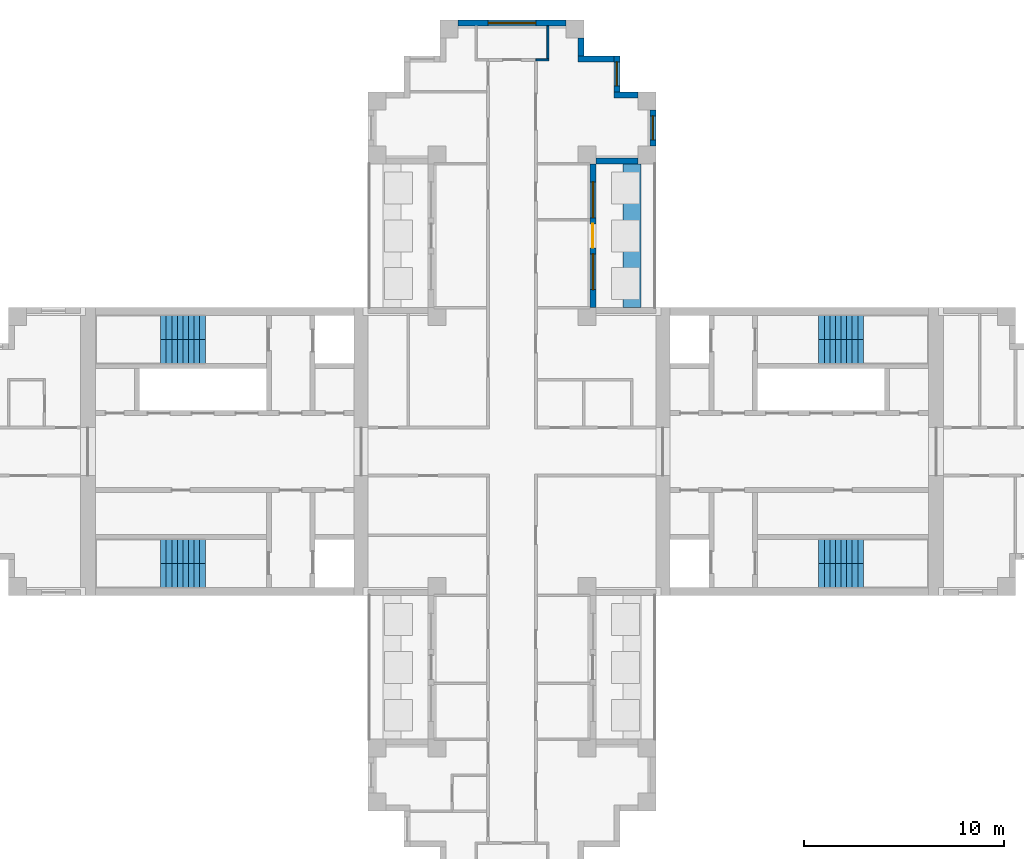
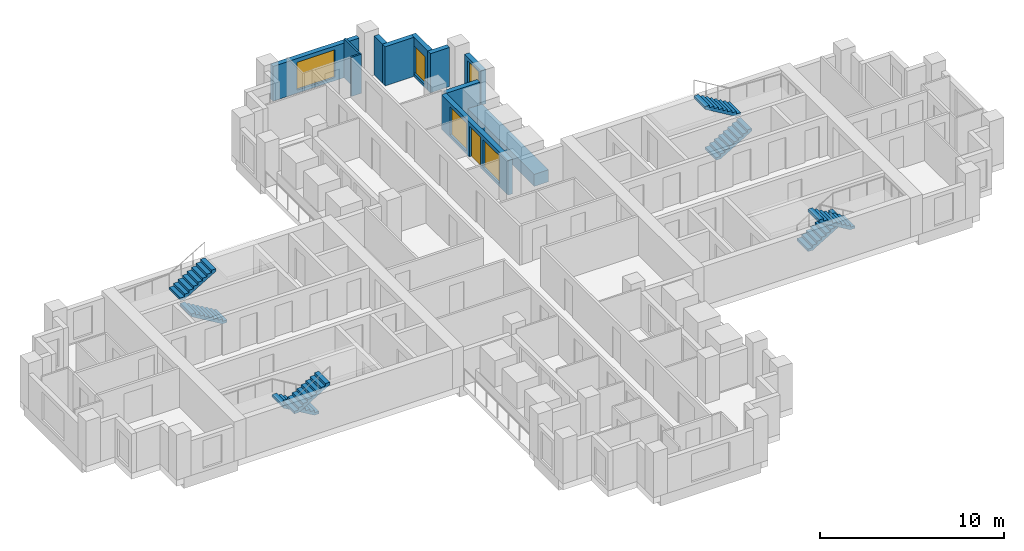
# One storey, part 7 of 9: 11 walls, 8 stair flights, 5 windows, 1 door, 6 openings, 4 elements without a shape of their own.
"""IFC4 building model written with IfcOpenShell, lengths in metres."""

import ifcopenshell
import ifcopenshell.guid

model = None  # the IFC model being written
_history = None  # IfcOwnerHistory: only IFC2X3 demands one
_inside = {}  # id of a spatial element -> (the spatial element, [elements in it])
_under = {}  # id of a project, library or spatial element -> (it, [spatial elements below it])
_declared = {}  # id of a project -> (the project, [libraries it declares])
_typed = {}  # id of a type object -> (the type object, [elements of that type])
_made_of = {}  # id of a material, layer set ... -> (it, [elements and type objects made of it])


def new_model(schema):
    """Start an empty IFC model of exactly this schema.

    Asked for "IFC4X3", IfcOpenShell would pick the latest addendum, in which some entities
    have other attributes; the version numbers below select the first issue.
    IFC2X3 requires an IfcOwnerHistory on every rooted entity: one is made here for all.
    """
    global model, _history
    if schema == "IFC4X3":
        model = ifcopenshell.file(schema_version=(4, 3, 0, 0))
    else:
        model = ifcopenshell.file(schema=schema)
    _inside.clear()
    _under.clear()
    _declared.clear()
    _typed.clear()
    _made_of.clear()
    _history = None
    if model.schema == "IFC2X3":
        org = make("IfcOrganization", Name="unknown")
        user = make(
            "IfcPersonAndOrganization",
            ThePerson=make("IfcPerson", FamilyName="unknown"),
            TheOrganization=org,
        )
        app = make(
            "IfcApplication",
            ApplicationDeveloper=org,
            Version="unknown",
            ApplicationFullName="unknown",
            ApplicationIdentifier="unknown",
        )
        _history = make(
            "IfcOwnerHistory",
            OwningUser=user,
            OwningApplication=app,
            ChangeAction="ADDED",
            CreationDate=0,
        )
    return model


def make(cls, **values):
    """One entity of the class cls with the attributes given. An attribute that is None is left unset."""
    return model.create_entity(
        cls, **{name: value for name, value in values.items() if value is not None}
    )


def rooted(cls, **values):
    """An entity with a GlobalId (a new one), such as an element, a storey or a relation."""
    return make(cls, GlobalId=ifcopenshell.guid.new(), OwnerHistory=_history, **values)


def si_unit(unit_type, name, prefix=None):
    """IfcSIUnit, for example si_unit("LENGTHUNIT", "METRE", prefix="MILLI")."""
    return make("IfcSIUnit", UnitType=unit_type, Prefix=prefix, Name=name)


def assignment(units):
    """IfcUnitAssignment: the units of a project."""
    return None if units is None else make("IfcUnitAssignment", Units=units)


def point(xyz):
    """IfcCartesianPoint."""
    return None if xyz is None else make("IfcCartesianPoint", Coordinates=xyz)


def direction(xyz):
    """IfcDirection."""
    return None if xyz is None else make("IfcDirection", DirectionRatios=xyz)


def frame(location, z_axis=None, x_axis=None):
    """IfcAxis2Placement3D, a coordinate frame: its origin and axes. An axis left out is left unset."""
    return make(
        "IfcAxis2Placement3D",
        Location=point(location),
        Axis=direction(z_axis),
        RefDirection=direction(x_axis),
    )


def frame_2d(location, x_axis=None):
    """IfcAxis2Placement2D, a coordinate frame in the plane: its origin and x axis."""
    return make(
        "IfcAxis2Placement2D", Location=point(location), RefDirection=direction(x_axis)
    )


def origin():
    """The frame at (0, 0, 0) with its axes left unset."""
    return frame((0.0, 0.0, 0.0))


def place(relative_to, where):
    """IfcLocalPlacement: puts the frame where relative to a parent placement (None: the world)."""
    return make(
        "IfcLocalPlacement", PlacementRelTo=relative_to, RelativePlacement=where
    )


def context(
    kind, dimensions, precision=None, world=None, true_north=None, identifier=None
):
    """IfcGeometricRepresentationContext, for example the 3D "Model" context."""
    return make(
        "IfcGeometricRepresentationContext",
        ContextIdentifier=identifier,
        ContextType=kind,
        CoordinateSpaceDimension=dimensions,
        Precision=precision,
        WorldCoordinateSystem=world,
        TrueNorth=true_north,
    )


def subcontext(parent, identifier, kind, view, scale=None):
    """IfcGeometricRepresentationSubContext, for example "Body" below "Model"."""
    return make(
        "IfcGeometricRepresentationSubContext",
        ContextIdentifier=identifier,
        ContextType=kind,
        ParentContext=parent,
        TargetScale=scale,
        TargetView=view,
    )


def project(units=None, contexts=None):
    """IfcProject with its units and contexts."""
    return rooted(
        "IfcProject",
        Name="project",
        RepresentationContexts=contexts,
        UnitsInContext=assignment(units),
    )


def spatial(cls, under=None, at=None, **own):
    """A site, building, storey or space (cls), placed at a placement, below another one or the project."""
    s = rooted(cls, ObjectPlacement=at, **own)
    if under is not None:
        _under.setdefault(under.id(), (under, []))[1].append(s)
    return s


def polyline(points):
    """IfcPolyline through the points."""
    return make("IfcPolyline", Points=[point(p) for p in points])


def profile(cls, at=None, kind="AREA", **sizes):
    """A parametric profile (cls). Its sizes go by their IFC names, for example OverallWidth=200.0."""
    return make(cls, ProfileType=kind, Position=at, **sizes)


def rectangle(**sizes):
    """IfcRectangleProfileDef."""
    return profile("IfcRectangleProfileDef", **sizes)


def outline(outer, holes=None, kind="AREA"):
    """IfcArbitraryClosedProfileDef: a profile drawn as a closed curve; with holes, ...WithVoids."""
    if holes is None:
        return make("IfcArbitraryClosedProfileDef", ProfileType=kind, OuterCurve=outer)
    return make(
        "IfcArbitraryProfileDefWithVoids",
        ProfileType=kind,
        OuterCurve=outer,
        InnerCurves=holes,
    )


def extrude(swept, where, along, depth):
    """IfcExtrudedAreaSolid: the profile swept, set in the frame where, extruded along a direction by depth."""
    return make(
        "IfcExtrudedAreaSolid",
        SweptArea=swept,
        Position=where,
        ExtrudedDirection=direction(along),
        Depth=depth,
    )


def shape(context_of_items, identifier, shape_type, items):
    """IfcShapeRepresentation: the items that make up one representation, for example the "Body"."""
    return make(
        "IfcShapeRepresentation",
        ContextOfItems=context_of_items,
        RepresentationIdentifier=identifier,
        RepresentationType=shape_type,
        Items=items,
    )


def material(Name=None, Category=None):
    """IfcMaterial."""
    return make("IfcMaterial", Name=Name, Category=Category)


def layer(
    of_material, thickness, ventilated=None, Name=None, Category=None, Priority=None
):
    """IfcMaterialLayer: one layer of a wall or slab, of a material (None: an air gap)."""
    return make(
        "IfcMaterialLayer",
        Material=of_material,
        LayerThickness=thickness,
        IsVentilated=ventilated,
        Name=Name,
        Category=Category,
        Priority=Priority,
    )


def layer_set(layers, Name=None):
    """IfcMaterialLayerSet."""
    return make("IfcMaterialLayerSet", MaterialLayers=layers, LayerSetName=Name)


def made_of(thing, what):
    """Note that an element or type object is made of a material, layer set ...; save() writes the relation."""
    if what is not None:
        _made_of.setdefault(what.id(), (what, []))[1].append(thing)
    return thing


def type_object(cls, material=None, **own):
    """A type object (cls), such as IfcWallType, which elements share."""
    return made_of(rooted(cls, **own), material)


def element(
    cls,
    number,
    at=None,
    inside=None,
    cuts=None,
    type_object=None,
    material=None,
    context=None,
    identifier="Body",
    shape_type=None,
    held_by="IfcProductDefinitionShape",
    body=None,
    shapes=None,
    **own,
):
    """One element of the class cls, such as IfcWall. Its Tag is "e" and its number.

    at: its placement. inside: the storey or other place that contains it. cuts: it is an
    opening in that element (IfcRelVoidsElement). A single representation is given by context,
    identifier, shape_type and body (its items); several are given by shapes. held_by: the class
    of the entity that holds the representations. save() writes the other relations.
    """
    e = rooted(cls, Tag="e%d" % number, ObjectPlacement=at, **own)
    if body is not None:
        shapes = [shape(context, identifier, shape_type, body)]
    if shapes is not None:
        e.Representation = make(held_by, Representations=shapes)
    if inside is not None:
        _inside.setdefault(inside.id(), (inside, []))[1].append(e)
    if cuts is not None:
        rooted(
            "IfcRelVoidsElement", RelatingBuildingElement=cuts, RelatedOpeningElement=e
        )
    if type_object is not None:
        _typed.setdefault(type_object.id(), (type_object, []))[1].append(e)
    return made_of(e, material)


def fill(opening, filler):
    """IfcRelFillsElement: the door or window that sits in an opening."""
    return rooted(
        "IfcRelFillsElement",
        RelatingOpeningElement=opening,
        RelatedBuildingElement=filler,
    )


def aggregate(whole, parts):
    """IfcRelAggregates: a whole, such as a stair, and the parts it consists of."""
    return rooted("IfcRelAggregates", RelatingObject=whole, RelatedObjects=parts)


def save(model, path):
    """Write the relations noted so far, then the file.

    IfcRelAggregates (storeys below a building ...), IfcRelContainedInSpatialStructure (elements
    in a storey), IfcRelDefinesByType, IfcRelAssociatesMaterial and IfcRelDeclares: one each for
    every whole, place, type object, material and project.
    """
    for whole, parts in _under.values():
        aggregate(whole, parts)
    for where, things in _inside.values():
        rooted(
            "IfcRelContainedInSpatialStructure",
            RelatedElements=things,
            RelatingStructure=where,
        )
    for kind, things in _typed.values():
        rooted("IfcRelDefinesByType", RelatedObjects=things, RelatingType=kind)
    for what, things in _made_of.values():
        rooted("IfcRelAssociatesMaterial", RelatedObjects=things, RelatingMaterial=what)
    for by, libraries in _declared.values():
        rooted("IfcRelDeclares", RelatingContext=by, RelatedDefinitions=libraries)
    model.write(path)


model = new_model("IFC4")

# Units and contexts
model_context = context("Model", 3, precision=1e-05, world=origin(), true_north=direction((0.0, 1.0)))
body_context = subcontext(model_context, "Body", "Model", "MODEL_VIEW")
ifc_project = project(units=[si_unit("LENGTHUNIT", "METRE"), si_unit("AREAUNIT", "SQUARE_METRE"), si_unit("VOLUMEUNIT", "CUBIC_METRE"), si_unit("PLANEANGLEUNIT", "RADIAN"), si_unit("MASSUNIT", "GRAM", prefix="KILO")], contexts=[model_context])

# Site, building, storey
site_placement = place(None, origin())
site = spatial("IfcSite", under=ifc_project, at=site_placement, CompositionType="ELEMENT")
building_placement = place(site_placement, origin())
building = spatial("IfcBuilding", under=site, at=building_placement, Name="Fustian Cross Tower", CompositionType="ELEMENT")
storey_placement = place(building_placement, frame((0.0, 0.0, 219.89990234375)))
storey = spatial("IfcBuildingStorey", under=building, at=storey_placement, Name="L69", CompositionType="ELEMENT", Elevation=219.89990234375)

# Walls
ifc_material_1 = material(Name="Plasterboard on steel stud", Category="steel")
ifc_layer_1 = layer(ifc_material_1, 0.10009765625)
ifc_layer_set_1 = layer_set([ifc_layer_1], Name="Plasterboard on steel stud")
wall_type_1 = type_object("IfcWallType", Name="PARTITION 100 STUD", PredefinedType="PARTITIONING", material=ifc_layer_set_1)
wall_1_placement = place(storey_placement, frame((1.199951171875, 19.60009765625, 0.0), z_axis=(0.0, 0.0, 1.0), x_axis=(1.0, 0.0, 0.0)))
element("IfcWall", 1, at=wall_1_placement, inside=storey, type_object=wall_type_1, Name="Partition 45", PredefinedType="PARTITIONING", context=body_context, shape_type="SweptSolid", body=[
    extrude(rectangle(XDim=0.650146484375, YDim=0.10009765625, at=frame_2d((0.3251953125, 0.0))), origin(), (0.0, 0.0, 1.0), 2.60009765625),
])
wall_2_placement = place(storey_placement, frame((1.800048828125, 19.64990234375, 0.0), z_axis=(0.0, 0.0, 1.0), x_axis=(0.0, 1.0, 0.0)))
element("IfcWall", 2, at=wall_2_placement, inside=storey, type_object=wall_type_1, Name="Partition 47", PredefinedType="PARTITIONING", context=body_context, shape_type="SweptSolid", body=[
    extrude(rectangle(XDim=1.650146484375, YDim=0.10009765625, at=frame_2d((0.8251953125, 0.0))), origin(), (0.0, 0.0, 1.0), 2.60009765625),
])
ifc_material_2 = material(Name="Concrete C40/50", Category="concrete")
ifc_layer_2 = layer(ifc_material_2, 0.89990234375)
ifc_layer_set_2 = layer_set([ifc_layer_2], Name="Concrete C40/50")
wall_type_2 = type_object("IfcWallType", Name="PK1 PLANTER 900", PredefinedType="PARAPET", material=ifc_layer_set_2)
wall_3_placement = place(storey_placement, frame((6.0, 7.199951171875, 0.0), z_axis=(0.0, 0.0, 1.0), x_axis=(0.0, 1.0, 0.0)))
element("IfcWall", 3, at=wall_3_placement, inside=storey, type_object=wall_type_2, Name="PLANTER", PredefinedType="PARAPET", context=body_context, shape_type="SweptSolid", body=[
    extrude(rectangle(XDim=7.199951171875, YDim=0.89990234375, at=frame_2d((3.60009765625, 0.0))), origin(), (0.0, 0.0, 1.0), 0.800048828125),
])

# Wall, openings, door, windows
ifc_material_3 = material(Name="Dark aluminium cladding on insulated backing wall", Category="aluminium")
ifc_layer_3 = layer(ifc_material_3, 0.300048828125)
ifc_layer_set_3 = layer_set([ifc_layer_3], Name="Dark aluminium cladding on insulated backing wall")
wall_type_3 = type_object("IfcWallType", Name="XW1 EXTERNAL WALL 300", PredefinedType="SOLIDWALL", material=ifc_layer_set_3)
wall_4_placement = place(storey_placement, frame((4.050048828125, 7.199951171875, 0.0), z_axis=(0.0, 0.0, 1.0), x_axis=(0.0, 1.0, 0.0)))
wall_4 = element("IfcWall", 4, at=wall_4_placement, inside=storey, type_object=wall_type_3, Name="External wall", PredefinedType="SOLIDWALL", context=body_context, shape_type="SweptSolid", body=[
    extrude(rectangle(XDim=7.199951171875, YDim=0.300048828125, at=frame_2d((3.60009765625, 0.0))), origin(), (0.0, 0.0, 1.0), 2.300048828125),
])
opening_1_placement = place(wall_4_placement, frame((3.0, 0.0, 0.0)))
opening_1 = element("IfcOpeningElement", 5, at=opening_1_placement, cuts=wall_4, Name="Opening XD1", PredefinedType="OPENING", context=body_context, shape_type="SweptSolid", body=[
    extrude(rectangle(XDim=1.199951171875, YDim=2.050048828125, at=frame_2d((0.60009765625, 1.02490234375))), frame((0.0, 0.159912109375, 0.0), z_axis=(0.0, -1.0, 0.0), x_axis=(1.0, 0.0, 0.0)), (0.0, 0.0, 1.0), 0.320068359375),
])
opening_2_placement = place(wall_4_placement, frame((0.89990234375, 0.0, 0.199951171875)))
opening_2 = element("IfcOpeningElement", 6, at=opening_2_placement, cuts=wall_4, Name="Opening WN2", PredefinedType="OPENING", context=body_context, shape_type="SweptSolid", body=[
    extrude(rectangle(XDim=1.800048828125, YDim=1.85009765625, at=frame_2d((0.89990234375, 0.925048828125))), frame((0.0, 0.159912109375, 0.0), z_axis=(0.0, -1.0, 0.0), x_axis=(1.0, 0.0, 0.0)), (0.0, 0.0, 1.0), 0.320068359375),
])
opening_3_placement = place(wall_4_placement, frame((4.5, 0.0, 0.199951171875)))
opening_3 = element("IfcOpeningElement", 7, at=opening_3_placement, cuts=wall_4, Name="Opening WN2", PredefinedType="OPENING", context=body_context, shape_type="SweptSolid", body=[
    extrude(rectangle(XDim=1.800048828125, YDim=1.85009765625, at=frame_2d((0.89990234375, 0.925048828125))), frame((0.0, 0.159912109375, 0.0), z_axis=(0.0, -1.0, 0.0), x_axis=(1.0, 0.0, 0.0)), (0.0, 0.0, 1.0), 0.320068359375),
])
ifc_material_4 = material(Name="Dark anodised aluminium and double glazing", Category="aluminium")
door_type = type_object("IfcDoorType", Name="ED1 BALCONY DOOR 1200X2050", OperationType="SINGLE_SWING_LEFT", PredefinedType="DOOR", material=ifc_material_4)
door_placement = place(opening_1_placement, origin())
door = element("IfcDoor", 8, at=door_placement, inside=storey, type_object=door_type, Name="Balcony door", OperationType="SINGLE_SWING_LEFT", OverallHeight=2.050048828125, OverallWidth=1.199951171875, PredefinedType="DOOR", context=body_context, shape_type="SweptSolid", body=[
    extrude(rectangle(XDim=1.199951171875, YDim=2.050048828125, at=frame_2d((0.60009765625, 1.02490234375))), frame((0.0, 0.02490234375, 0.0), z_axis=(0.0, -1.0, 0.0), x_axis=(1.0, 0.0, 0.0)), (0.0, 0.0, 1.0), 0.050048828125),
])
fill(opening_1, door)
ifc_material_5 = material(Name="Dark anodised aluminium and double glazing", Category="aluminium")
window_type_1 = type_object("IfcWindowType", Name="WN2 WINDOW 1800X1850", PartitioningType="SINGLE_PANEL", PredefinedType="WINDOW", material=ifc_material_5)
window_1_placement = place(opening_2_placement, origin())
window_1 = element("IfcWindow", 9, at=window_1_placement, inside=storey, type_object=window_type_1, Name="Window", OverallHeight=1.85009765625, OverallWidth=1.800048828125, PartitioningType="SINGLE_PANEL", PredefinedType="WINDOW", context=body_context, shape_type="SweptSolid", body=[
    extrude(rectangle(XDim=1.800048828125, YDim=1.85009765625, at=frame_2d((0.89990234375, 0.925048828125))), frame((0.0, 0.030029296875, 0.0), z_axis=(0.0, -1.0, 0.0), x_axis=(1.0, 0.0, 0.0)), (0.0, 0.0, 1.0), 0.06005859375),
])
fill(opening_2, window_1)
window_2_placement = place(opening_3_placement, origin())
window_2 = element("IfcWindow", 10, at=window_2_placement, inside=storey, type_object=window_type_1, Name="Window", OverallHeight=1.85009765625, OverallWidth=1.800048828125, PartitioningType="SINGLE_PANEL", PredefinedType="WINDOW", context=body_context, shape_type="SweptSolid", body=[
    extrude(rectangle(XDim=1.800048828125, YDim=1.85009765625, at=frame_2d((0.89990234375, 0.925048828125))), frame((0.0, 0.030029296875, 0.0), z_axis=(0.0, -1.0, 0.0), x_axis=(1.0, 0.0, 0.0)), (0.0, 0.0, 1.0), 0.06005859375),
])
fill(opening_3, window_2)

# Wall
wall_5_placement = place(storey_placement, frame((4.199951171875, 14.550048828125, 0.0), z_axis=(0.0, 0.0, 1.0), x_axis=(1.0, 0.0, 0.0)))
element("IfcWall", 11, at=wall_5_placement, inside=storey, type_object=wall_type_3, Name="External wall", PredefinedType="SOLIDWALL", context=body_context, shape_type="SweptSolid", body=[
    extrude(rectangle(XDim=2.10009765625, YDim=0.300048828125, at=frame_2d((1.050048828125, 0.0))), origin(), (0.0, 0.0, 1.0), 2.300048828125),
])

# Wall, opening, window
wall_6_placement = place(storey_placement, frame((7.050048828125, 15.300048828125, 0.0), z_axis=(0.0, 0.0, 1.0), x_axis=(0.0, 1.0, 0.0)))
wall_6 = element("IfcWall", 12, at=wall_6_placement, inside=storey, type_object=wall_type_3, Name="External wall", PredefinedType="SOLIDWALL", context=body_context, shape_type="SweptSolid", body=[
    extrude(rectangle(XDim=1.800048828125, YDim=0.300048828125, at=frame_2d((0.89990234375, 0.0))), origin(), (0.0, 0.0, 1.0), 2.300048828125),
])
opening_4_placement = place(wall_6_placement, frame((0.300048828125, 0.0, 0.199951171875)))
opening_4 = element("IfcOpeningElement", 13, at=opening_4_placement, cuts=wall_6, Name="Opening WN3", PredefinedType="OPENING", context=body_context, shape_type="SweptSolid", body=[
    extrude(rectangle(XDim=1.199951171875, YDim=1.85009765625, at=frame_2d((0.60009765625, 0.925048828125))), frame((0.0, 0.159912109375, 0.0), z_axis=(0.0, -1.0, 0.0), x_axis=(1.0, 0.0, 0.0)), (0.0, 0.0, 1.0), 0.320068359375),
])
ifc_material_6 = material(Name="Dark anodised aluminium and double glazing", Category="aluminium")
window_type_2 = type_object("IfcWindowType", Name="WN3 WINDOW 1200X1850", PartitioningType="SINGLE_PANEL", PredefinedType="WINDOW", material=ifc_material_6)
window_3_placement = place(opening_4_placement, origin())
window_3 = element("IfcWindow", 14, at=window_3_placement, inside=storey, type_object=window_type_2, Name="Window", OverallHeight=1.85009765625, OverallWidth=1.199951171875, PartitioningType="SINGLE_PANEL", PredefinedType="WINDOW", context=body_context, shape_type="SweptSolid", body=[
    extrude(rectangle(XDim=1.199951171875, YDim=1.85009765625, at=frame_2d((0.60009765625, 0.925048828125))), frame((0.0, 0.030029296875, 0.0), z_axis=(0.0, -1.0, 0.0), x_axis=(1.0, 0.0, 0.0)), (0.0, 0.0, 1.0), 0.06005859375),
])
fill(opening_4, window_3)

# Wall
wall_7_placement = place(storey_placement, frame((6.300048828125, 17.85009765625, 0.0), z_axis=(0.0, 0.0, 1.0), x_axis=(-1.0, 0.0, 0.0)))
element("IfcWall", 15, at=wall_7_placement, inside=storey, type_object=wall_type_3, Name="External wall", PredefinedType="SOLIDWALL", context=body_context, shape_type="SweptSolid", body=[
    extrude(rectangle(XDim=1.199951171875, YDim=0.300048828125, at=frame_2d((0.60009765625, 0.0))), origin(), (0.0, 0.0, 1.0), 2.60009765625),
])

# Wall, opening, window
wall_8_placement = place(storey_placement, frame((5.25, 18.0, 0.0), z_axis=(0.0, 0.0, 1.0), x_axis=(0.0, 1.0, 0.0)))
wall_8 = element("IfcWall", 16, at=wall_8_placement, inside=storey, type_object=wall_type_3, Name="External wall", PredefinedType="SOLIDWALL", context=body_context, shape_type="SweptSolid", body=[
    extrude(rectangle(XDim=1.800048828125, YDim=0.300048828125, at=frame_2d((0.89990234375, 0.0))), origin(), (0.0, 0.0, 1.0), 2.60009765625),
])
opening_5_placement = place(wall_8_placement, frame((0.300048828125, 0.0, 0.199951171875)))
opening_5 = element("IfcOpeningElement", 17, at=opening_5_placement, cuts=wall_8, Name="Opening WN3", PredefinedType="OPENING", context=body_context, shape_type="SweptSolid", body=[
    extrude(rectangle(XDim=1.199951171875, YDim=1.85009765625, at=frame_2d((0.60009765625, 0.925048828125))), frame((0.0, 0.159912109375, 0.0), z_axis=(0.0, -1.0, 0.0), x_axis=(1.0, 0.0, 0.0)), (0.0, 0.0, 1.0), 0.320068359375),
])
window_4_placement = place(opening_5_placement, origin())
window_4 = element("IfcWindow", 18, at=window_4_placement, inside=storey, type_object=window_type_2, Name="Window", OverallHeight=1.85009765625, OverallWidth=1.199951171875, PartitioningType="SINGLE_PANEL", PredefinedType="WINDOW", context=body_context, shape_type="SweptSolid", body=[
    extrude(rectangle(XDim=1.199951171875, YDim=1.85009765625, at=frame_2d((0.60009765625, 0.925048828125))), frame((0.0, 0.030029296875, 0.0), z_axis=(0.0, -1.0, 0.0), x_axis=(1.0, 0.0, 0.0)), (0.0, 0.0, 1.0), 0.06005859375),
])
fill(opening_5, window_4)

# Walls
wall_9_placement = place(storey_placement, frame((5.10009765625, 19.64990234375, 0.0), z_axis=(0.0, 0.0, 1.0), x_axis=(-1.0, 0.0, 0.0)))
element("IfcWall", 19, at=wall_9_placement, inside=storey, type_object=wall_type_3, Name="External wall", PredefinedType="SOLIDWALL", context=body_context, shape_type="SweptSolid", body=[
    extrude(rectangle(XDim=1.800048828125, YDim=0.300048828125, at=frame_2d((0.89990234375, 0.0))), origin(), (0.0, 0.0, 1.0), 2.60009765625),
])
wall_10_placement = place(storey_placement, frame((3.449951171875, 19.800048828125, 0.0), z_axis=(0.0, 0.0, 1.0), x_axis=(0.0, 1.0, 0.0)))
element("IfcWall", 20, at=wall_10_placement, inside=storey, type_object=wall_type_3, Name="External wall", PredefinedType="SOLIDWALL", context=body_context, shape_type="SweptSolid", body=[
    extrude(rectangle(XDim=0.89990234375, YDim=0.300048828125, at=frame_2d((0.449951171875, 0.0))), origin(), (0.0, 0.0, 1.0), 2.60009765625),
])

# Wall, opening, window
wall_11_placement = place(storey_placement, frame((2.699951171875, 21.449951171875, 0.0), z_axis=(0.0, 0.0, 1.0), x_axis=(-1.0, 0.0, 0.0)))
wall_11 = element("IfcWall", 21, at=wall_11_placement, inside=storey, type_object=wall_type_3, Name="External wall", PredefinedType="SOLIDWALL", context=body_context, shape_type="SweptSolid", body=[
    extrude(rectangle(XDim=5.39990234375, YDim=0.300048828125, at=frame_2d((2.699951171875, 0.0))), origin(), (0.0, 0.0, 1.0), 2.300048828125),
])
opening_6_placement = place(wall_11_placement, frame((1.5, 0.0, 0.199951171875)))
opening_6 = element("IfcOpeningElement", 22, at=opening_6_placement, cuts=wall_11, Name="Opening WN1", PredefinedType="OPENING", context=body_context, shape_type="SweptSolid", body=[
    extrude(rectangle(XDim=2.39990234375, YDim=1.85009765625, at=frame_2d((1.199951171875, 0.925048828125))), frame((0.0, 0.159912109375, 0.0), z_axis=(0.0, -1.0, 0.0), x_axis=(1.0, 0.0, 0.0)), (0.0, 0.0, 1.0), 0.320068359375),
])
ifc_material_7 = material(Name="Dark anodised aluminium and double glazing", Category="aluminium")
window_type_3 = type_object("IfcWindowType", Name="WN1 WINDOW 2400X1850", PartitioningType="SINGLE_PANEL", PredefinedType="WINDOW", material=ifc_material_7)
window_5_placement = place(opening_6_placement, origin())
window_5 = element("IfcWindow", 23, at=window_5_placement, inside=storey, type_object=window_type_3, Name="Window", OverallHeight=1.85009765625, OverallWidth=2.39990234375, PartitioningType="SINGLE_PANEL", PredefinedType="WINDOW", context=body_context, shape_type="SweptSolid", body=[
    extrude(rectangle(XDim=2.39990234375, YDim=1.85009765625, at=frame_2d((1.199951171875, 0.925048828125))), frame((0.0, 0.030029296875, 0.0), z_axis=(0.0, -1.0, 0.0), x_axis=(1.0, 0.0, 0.0)), (0.0, 0.0, 1.0), 0.06005859375),
])
fill(opening_6, window_5)

# Stair, stair flights
ifc_material_8 = material(Name="Concrete C50/60", Category="concrete")
stair_type = type_object("IfcStairType", Name="STAIR 1200 HALF TURN", PredefinedType="HALF_TURN_STAIR", material=ifc_material_8)
stair_1_placement = place(storey_placement, origin())
stair_1 = element("IfcStair", 24, at=stair_1_placement, inside=storey, type_object=stair_type, Name="Stair ST1", PredefinedType="HALF_TURN_STAIR")
ifc_material_9 = material(Name="Concrete C50/60", Category="concrete")
stair_flight_type = type_object("IfcStairFlightType", Name="STAIR FLIGHT 1200", PredefinedType="STRAIGHT", material=ifc_material_9)
stair_flight_1_placement = place(storey_placement, frame((15.35009765625, 5.0, 0.0), z_axis=(0.0, 0.0, 1.0), x_axis=(1.0, 0.0, 0.0)))
stair_flight_1 = element("IfcStairFlight", 25, at=stair_flight_1_placement, type_object=stair_flight_type, Name="ST1 flight 1", NumberOfRisers=9, NumberOfTreads=8, PredefinedType="STRAIGHT", RiserHeight=0.166666667, TreadLength=0.28, context=body_context, shape_type="SweptSolid", body=[
    extrude(outline(polyline([(0.0, 0.0), (0.0, 0.166748046875), (0.280029296875, 0.166748046875), (0.280029296875, 0.333251953125), (0.56005859375, 0.333251953125), (0.56005859375, 0.5), (0.840087890625, 0.5), (0.840087890625, 0.666748046875), (1.1201171875, 0.666748046875), (1.1201171875, 0.833251953125), (1.39990234375, 0.833251953125), (1.39990234375, 1.0), (1.679931640625, 1.0), (1.679931640625, 1.166748046875), (1.9599609375, 1.166748046875), (1.9599609375, 1.333251953125), (2.239990234375, 1.333251953125), (2.239990234375, 1.5), (2.239990234375, 1.158935546875), (0.29296875, 0.0), (0.0, 0.0)])), frame((0.0, 0.60009765625, 0.0), z_axis=(0.0, -1.0, 0.0), x_axis=(1.0, 0.0, 0.0)), (0.0, 0.0, 1.0), 1.199951171875),
])
stair_flight_2_placement = place(storey_placement, frame((17.590087890625, 6.199951171875, 1.5), z_axis=(0.0, 0.0, 1.0), x_axis=(-1.0, 0.0, 0.0)))
stair_flight_2 = element("IfcStairFlight", 26, at=stair_flight_2_placement, type_object=stair_flight_type, Name="ST1 flight 2", NumberOfRisers=9, NumberOfTreads=8, PredefinedType="STRAIGHT", RiserHeight=0.166666667, TreadLength=0.28, context=body_context, shape_type="SweptSolid", body=[
    extrude(outline(polyline([(0.0, 0.0), (0.0, 0.166748046875), (0.280029296875, 0.166748046875), (0.280029296875, 0.333251953125), (0.56005859375, 0.333251953125), (0.56005859375, 0.5), (0.840087890625, 0.5), (0.840087890625, 0.666748046875), (1.1201171875, 0.666748046875), (1.1201171875, 0.833251953125), (1.39990234375, 0.833251953125), (1.39990234375, 1.0), (1.679931640625, 1.0), (1.679931640625, 1.166748046875), (1.9599609375, 1.166748046875), (1.9599609375, 1.333251953125), (2.239990234375, 1.333251953125), (2.239990234375, 1.5), (2.239990234375, 1.158935546875), (0.29296875, 0.0), (0.0, 0.0)])), frame((0.0, 0.60009765625, 0.0), z_axis=(0.0, -1.0, 0.0), x_axis=(1.0, 0.0, 0.0)), (0.0, 0.0, 1.0), 1.199951171875),
])
aggregate(stair_1, [stair_flight_1, stair_flight_2])

stair_2_placement = place(storey_placement, origin())
stair_2 = element("IfcStair", 27, at=stair_2_placement, inside=storey, type_object=stair_type, Name="Stair ST2", PredefinedType="HALF_TURN_STAIR")
stair_flight_3_placement = place(storey_placement, frame((15.35009765625, -5.0, 0.0), z_axis=(0.0, 0.0, 1.0), x_axis=(1.0, 0.0, 0.0)))
stair_flight_3 = element("IfcStairFlight", 28, at=stair_flight_3_placement, type_object=stair_flight_type, Name="ST2 flight 1", NumberOfRisers=9, NumberOfTreads=8, PredefinedType="STRAIGHT", RiserHeight=0.166666667, TreadLength=0.28, context=body_context, shape_type="SweptSolid", body=[
    extrude(outline(polyline([(0.0, 0.0), (0.0, 0.166748046875), (0.280029296875, 0.166748046875), (0.280029296875, 0.333251953125), (0.56005859375, 0.333251953125), (0.56005859375, 0.5), (0.840087890625, 0.5), (0.840087890625, 0.666748046875), (1.1201171875, 0.666748046875), (1.1201171875, 0.833251953125), (1.39990234375, 0.833251953125), (1.39990234375, 1.0), (1.679931640625, 1.0), (1.679931640625, 1.166748046875), (1.9599609375, 1.166748046875), (1.9599609375, 1.333251953125), (2.239990234375, 1.333251953125), (2.239990234375, 1.5), (2.239990234375, 1.158935546875), (0.29296875, 0.0), (0.0, 0.0)])), frame((0.0, 0.60009765625, 0.0), z_axis=(0.0, -1.0, 0.0), x_axis=(1.0, 0.0, 0.0)), (0.0, 0.0, 1.0), 1.199951171875),
])
stair_flight_4_placement = place(storey_placement, frame((17.590087890625, -6.199951171875, 1.5), z_axis=(0.0, 0.0, 1.0), x_axis=(-1.0, 0.0, 0.0)))
stair_flight_4 = element("IfcStairFlight", 29, at=stair_flight_4_placement, type_object=stair_flight_type, Name="ST2 flight 2", NumberOfRisers=9, NumberOfTreads=8, PredefinedType="STRAIGHT", RiserHeight=0.166666667, TreadLength=0.28, context=body_context, shape_type="SweptSolid", body=[
    extrude(outline(polyline([(0.0, 0.0), (0.0, 0.166748046875), (0.280029296875, 0.166748046875), (0.280029296875, 0.333251953125), (0.56005859375, 0.333251953125), (0.56005859375, 0.5), (0.840087890625, 0.5), (0.840087890625, 0.666748046875), (1.1201171875, 0.666748046875), (1.1201171875, 0.833251953125), (1.39990234375, 0.833251953125), (1.39990234375, 1.0), (1.679931640625, 1.0), (1.679931640625, 1.166748046875), (1.9599609375, 1.166748046875), (1.9599609375, 1.333251953125), (2.239990234375, 1.333251953125), (2.239990234375, 1.5), (2.239990234375, 1.158935546875), (0.29296875, 0.0), (0.0, 0.0)])), frame((0.0, 0.60009765625, 0.0), z_axis=(0.0, -1.0, 0.0), x_axis=(1.0, 0.0, 0.0)), (0.0, 0.0, 1.0), 1.199951171875),
])
aggregate(stair_2, [stair_flight_3, stair_flight_4])

stair_3_placement = place(storey_placement, origin())
stair_3 = element("IfcStair", 30, at=stair_3_placement, inside=storey, type_object=stair_type, Name="Stair ST3", PredefinedType="HALF_TURN_STAIR")
stair_flight_5_placement = place(storey_placement, frame((-15.35009765625, 5.0, 0.0), z_axis=(0.0, 0.0, 1.0), x_axis=(-1.0, 0.0, 0.0)))
stair_flight_5 = element("IfcStairFlight", 31, at=stair_flight_5_placement, type_object=stair_flight_type, Name="ST3 flight 1", NumberOfRisers=9, NumberOfTreads=8, PredefinedType="STRAIGHT", RiserHeight=0.166666667, TreadLength=0.28, context=body_context, shape_type="SweptSolid", body=[
    extrude(outline(polyline([(0.0, 0.0), (0.0, 0.166748046875), (0.280029296875, 0.166748046875), (0.280029296875, 0.333251953125), (0.56005859375, 0.333251953125), (0.56005859375, 0.5), (0.840087890625, 0.5), (0.840087890625, 0.666748046875), (1.1201171875, 0.666748046875), (1.1201171875, 0.833251953125), (1.39990234375, 0.833251953125), (1.39990234375, 1.0), (1.679931640625, 1.0), (1.679931640625, 1.166748046875), (1.9599609375, 1.166748046875), (1.9599609375, 1.333251953125), (2.239990234375, 1.333251953125), (2.239990234375, 1.5), (2.239990234375, 1.158935546875), (0.29296875, 0.0), (0.0, 0.0)])), frame((0.0, 0.60009765625, 0.0), z_axis=(0.0, -1.0, 0.0), x_axis=(1.0, 0.0, 0.0)), (0.0, 0.0, 1.0), 1.199951171875),
])
stair_flight_6_placement = place(storey_placement, frame((-17.590087890625, 6.199951171875, 1.5), z_axis=(0.0, 0.0, 1.0), x_axis=(1.0, 0.0, 0.0)))
stair_flight_6 = element("IfcStairFlight", 32, at=stair_flight_6_placement, type_object=stair_flight_type, Name="ST3 flight 2", NumberOfRisers=9, NumberOfTreads=8, PredefinedType="STRAIGHT", RiserHeight=0.166666667, TreadLength=0.28, context=body_context, shape_type="SweptSolid", body=[
    extrude(outline(polyline([(0.0, 0.0), (0.0, 0.166748046875), (0.280029296875, 0.166748046875), (0.280029296875, 0.333251953125), (0.56005859375, 0.333251953125), (0.56005859375, 0.5), (0.840087890625, 0.5), (0.840087890625, 0.666748046875), (1.1201171875, 0.666748046875), (1.1201171875, 0.833251953125), (1.39990234375, 0.833251953125), (1.39990234375, 1.0), (1.679931640625, 1.0), (1.679931640625, 1.166748046875), (1.9599609375, 1.166748046875), (1.9599609375, 1.333251953125), (2.239990234375, 1.333251953125), (2.239990234375, 1.5), (2.239990234375, 1.158935546875), (0.29296875, 0.0), (0.0, 0.0)])), frame((0.0, 0.60009765625, 0.0), z_axis=(0.0, -1.0, 0.0), x_axis=(1.0, 0.0, 0.0)), (0.0, 0.0, 1.0), 1.199951171875),
])
aggregate(stair_3, [stair_flight_5, stair_flight_6])

stair_4_placement = place(storey_placement, origin())
stair_4 = element("IfcStair", 33, at=stair_4_placement, inside=storey, type_object=stair_type, Name="Stair ST4", PredefinedType="HALF_TURN_STAIR")
stair_flight_7_placement = place(storey_placement, frame((-15.35009765625, -5.0, 0.0), z_axis=(0.0, 0.0, 1.0), x_axis=(-1.0, 0.0, 0.0)))
stair_flight_7 = element("IfcStairFlight", 34, at=stair_flight_7_placement, type_object=stair_flight_type, Name="ST4 flight 1", NumberOfRisers=9, NumberOfTreads=8, PredefinedType="STRAIGHT", RiserHeight=0.166666667, TreadLength=0.28, context=body_context, shape_type="SweptSolid", body=[
    extrude(outline(polyline([(0.0, 0.0), (0.0, 0.166748046875), (0.280029296875, 0.166748046875), (0.280029296875, 0.333251953125), (0.56005859375, 0.333251953125), (0.56005859375, 0.5), (0.840087890625, 0.5), (0.840087890625, 0.666748046875), (1.1201171875, 0.666748046875), (1.1201171875, 0.833251953125), (1.39990234375, 0.833251953125), (1.39990234375, 1.0), (1.679931640625, 1.0), (1.679931640625, 1.166748046875), (1.9599609375, 1.166748046875), (1.9599609375, 1.333251953125), (2.239990234375, 1.333251953125), (2.239990234375, 1.5), (2.239990234375, 1.158935546875), (0.29296875, 0.0), (0.0, 0.0)])), frame((0.0, 0.60009765625, 0.0), z_axis=(0.0, -1.0, 0.0), x_axis=(1.0, 0.0, 0.0)), (0.0, 0.0, 1.0), 1.199951171875),
])
stair_flight_8_placement = place(storey_placement, frame((-17.590087890625, -6.199951171875, 1.5), z_axis=(0.0, 0.0, 1.0), x_axis=(1.0, 0.0, 0.0)))
stair_flight_8 = element("IfcStairFlight", 35, at=stair_flight_8_placement, type_object=stair_flight_type, Name="ST4 flight 2", NumberOfRisers=9, NumberOfTreads=8, PredefinedType="STRAIGHT", RiserHeight=0.166666667, TreadLength=0.28, context=body_context, shape_type="SweptSolid", body=[
    extrude(outline(polyline([(0.0, 0.0), (0.0, 0.166748046875), (0.280029296875, 0.166748046875), (0.280029296875, 0.333251953125), (0.56005859375, 0.333251953125), (0.56005859375, 0.5), (0.840087890625, 0.5), (0.840087890625, 0.666748046875), (1.1201171875, 0.666748046875), (1.1201171875, 0.833251953125), (1.39990234375, 0.833251953125), (1.39990234375, 1.0), (1.679931640625, 1.0), (1.679931640625, 1.166748046875), (1.9599609375, 1.166748046875), (1.9599609375, 1.333251953125), (2.239990234375, 1.333251953125), (2.239990234375, 1.5), (2.239990234375, 1.158935546875), (0.29296875, 0.0), (0.0, 0.0)])), frame((0.0, 0.60009765625, 0.0), z_axis=(0.0, -1.0, 0.0), x_axis=(1.0, 0.0, 0.0)), (0.0, 0.0, 1.0), 1.199951171875),
])
aggregate(stair_4, [stair_flight_7, stair_flight_8])

save(model, "model.ifc")
